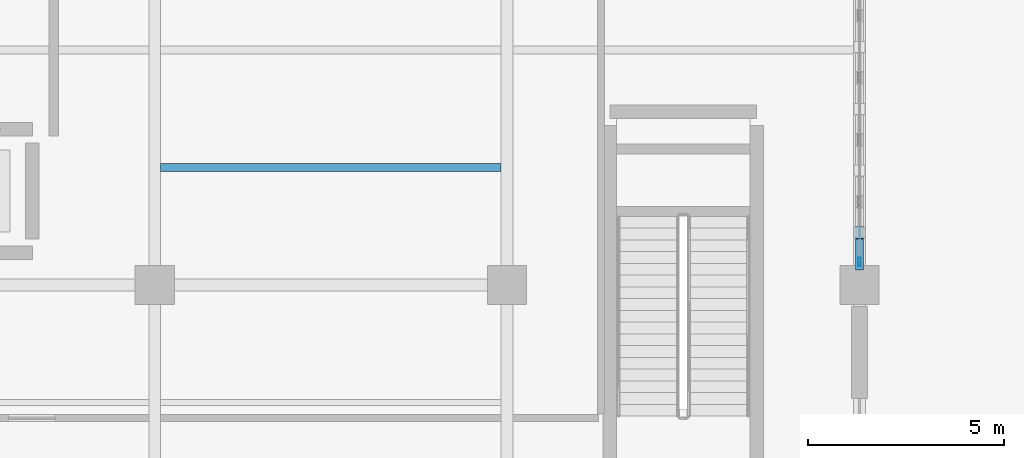
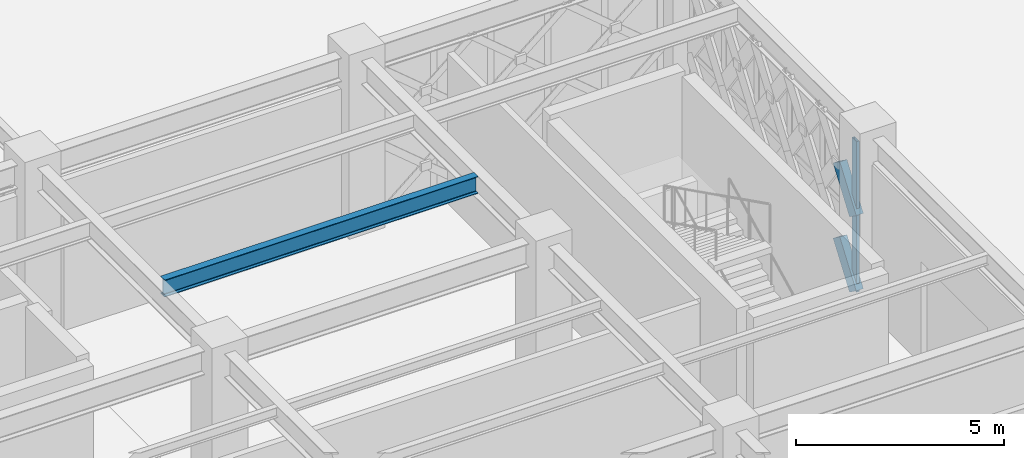
# One storey, part 18 of 140: 3 members, 1 beam, 1 element without a shape of its own.
"""IFC4 building model written with IfcOpenShell, lengths in metres."""

from ifc_helpers import new_model, si_unit, direction, frame, origin, origin_2d, place, context, subcontext, project, spatial, hollow_rectangle, i_section, extrude, material, material_profile, profile_set, type_object, element, aggregate, save


model = new_model("IFC4")

# Units and contexts
model_context = context("Model", 3, precision=1e-05, world=origin(), true_north=direction((0.0, 1.0)))
body_context = subcontext(model_context, "Body", "Model", "MODEL_VIEW")
ifc_project = project(units=[si_unit("LENGTHUNIT", "METRE"), si_unit("AREAUNIT", "SQUARE_METRE"), si_unit("VOLUMEUNIT", "CUBIC_METRE"), si_unit("PLANEANGLEUNIT", "RADIAN"), si_unit("MASSUNIT", "GRAM", prefix="KILO")], contexts=[model_context])

# Site, building, storey
site_placement = place(None, origin())
site = spatial("IfcSite", under=ifc_project, at=site_placement, CompositionType="ELEMENT")
building_placement = place(site_placement, origin())
building = spatial("IfcBuilding", under=site, at=building_placement, Name="Haizhuo Lancet Aquarium", CompositionType="ELEMENT")
storey_placement = place(building_placement, origin())
storey = spatial("IfcBuildingStorey", under=building, at=storey_placement, Name="L00", CompositionType="ELEMENT", Elevation=0.0)

# Curtain wall, member
ifc_material_1 = material(Name="Aluminium 6063-T6", Category="aluminium")
curtain_wall_type = type_object("IfcCurtainWallType", Name="CWD-7910x4420", PredefinedType="NOTDEFINED", material=ifc_material_1)
curtain_wall_placement = place(storey_placement, origin())
curtain_wall = element("IfcCurtainWall", 1, at=curtain_wall_placement, inside=storey, type_object=curtain_wall_type, Name="L00 curtain wall CW-V6-L00-197", PredefinedType="NOTDEFINED")
ifc_material_profile_1 = material_profile(ifc_material_1, hollow_rectangle(XDim=0.074951171875, YDim=0.219970703125, WallThickness=0.0048828125, at=origin_2d()), Name="ALU-M 75x220x5")
ifc_profile_set_1 = profile_set([ifc_material_profile_1], Name="Aluminium 6063-T6")
member_type_1 = type_object("IfcMemberType", Name="CW-MUL-2", PredefinedType="MULLION", material=ifc_profile_set_1)
member_placement = place(storey_placement, frame((-36.0, -17.4169921875, 0.0), z_axis=(0.0, 0.0, 1.0), x_axis=(1.0, 0.0, 0.0)))
member = element("IfcMember", 2, at=member_placement, type_object=member_type_1, Name="CWD-79x44 mullion 6", PredefinedType="MULLION", context=body_context, shape_type="SweptSolid", body=[
    extrude(hollow_rectangle(XDim=0.074951171875, YDim=0.219970703125, WallThickness=0.0048828125, at=origin_2d()), origin(), (0.0, 0.0, 1.0), 4.419921875),
])
aggregate(curtain_wall, [member])

# Beam
ifc_material_2 = material(Name="Steel S355", Category="steel")
ifc_material_profile_2 = material_profile(ifc_material_2, i_section(OverallWidth=0.199951171875, OverallDepth=0.5, WebThickness=0.010009765625, FlangeThickness=0.01611328125, FilletRadius=0.02001953125, at=origin_2d()), Name="HN 500x200x10x16")
ifc_profile_set_2 = profile_set([ifc_material_profile_2], Name="Steel S355")
beam_type = type_object("IfcBeamType", Name="JST-ST-HN500", PredefinedType="JOIST", material=ifc_profile_set_2)
beam_placement = place(storey_placement, frame((-53.85009765625, -15.0, 4.8701171875), z_axis=(1.0, 0.0, 0.0), x_axis=(0.0, 1.0, 0.0)))
element("IfcBeam", 3, at=beam_placement, inside=storey, type_object=beam_type, Name="L00 V6 secondary floor joist 14", PredefinedType="JOIST", context=body_context, shape_type="SweptSolid", body=[
    extrude(i_section(OverallWidth=0.199951171875, OverallDepth=0.5, WebThickness=0.010009765625, FlangeThickness=0.01611328125, FilletRadius=0.02001953125, at=origin_2d()), origin(), (0.0, 0.0, 1.0), 8.7001953125),
])

# Members
ifc_material_profile_3 = material_profile(ifc_material_2, hollow_rectangle(XDim=0.199951171875, YDim=0.39990234375, WallThickness=0.011962890625, at=origin_2d()), Name="RHS 200x400x12")
ifc_profile_set_3 = profile_set([ifc_material_profile_3], Name="Steel S355")
member_type_2 = type_object("IfcMemberType", Name="MEM-LB-RHS200x400", PredefinedType="BRACE", material=ifc_profile_set_3)
for number, where, z_axis, x_axis, name in (
    (4, (-36.0, -17.455078125, 0.0), (0.0, 0.582087604305, 0.813126079347), (-1.0, 0.0, 0.0), "Gothic lancet split diagonal brace CW-V6-L00-197 9B1"),
    (5, (-36.0, -17.455078125, 2.2099609375), (0.0, 0.582087604305, 0.813126079347), (-1.0, 0.0, 0.0), "Gothic lancet split diagonal brace CW-V6-L00-197 10B1"),
):
    element("IfcMember", number, at=place(storey_placement, frame(where, z_axis=z_axis, x_axis=x_axis)), inside=storey, type_object=member_type_2, Name=name, PredefinedType="BRACE", context=body_context, shape_type="SweptSolid", body=[
        extrude(hollow_rectangle(XDim=0.199951171875, YDim=0.39990234375, WallThickness=0.011962890625, at=origin_2d()), origin(), (0.0, 0.0, 1.0), 1.35888671875),
    ])

save(model, "model.ifc")
